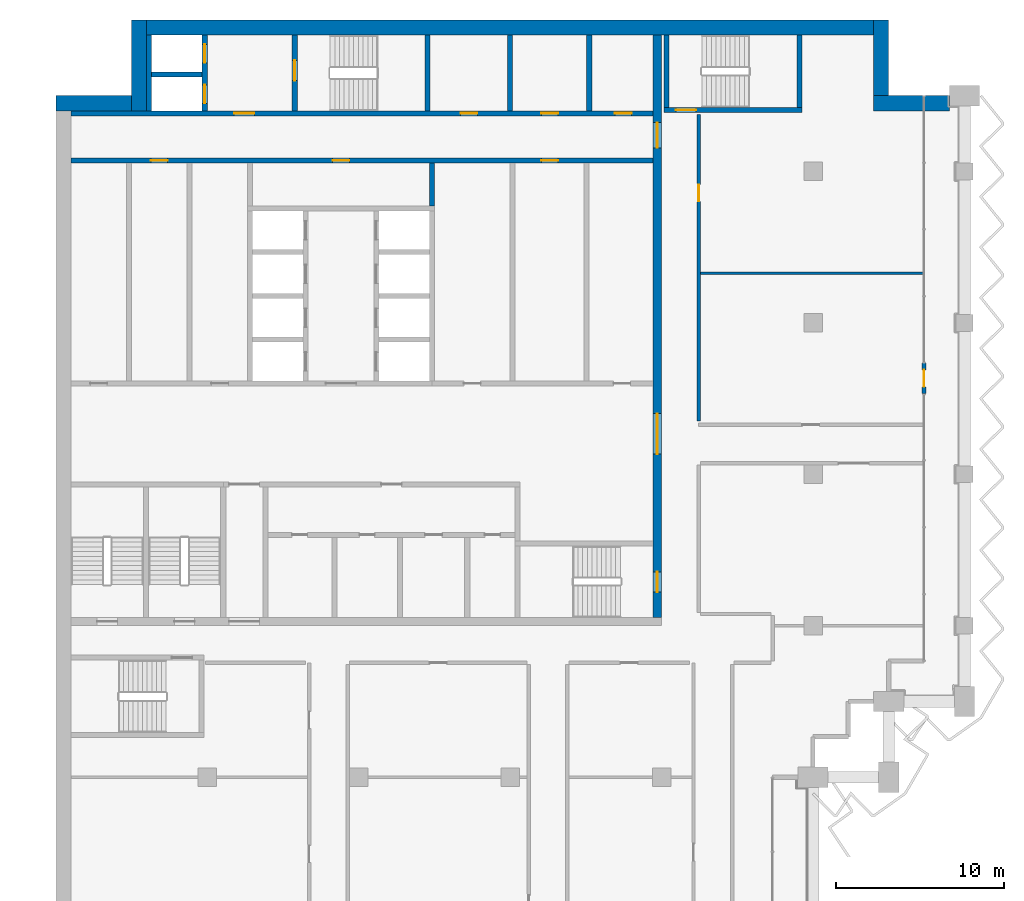
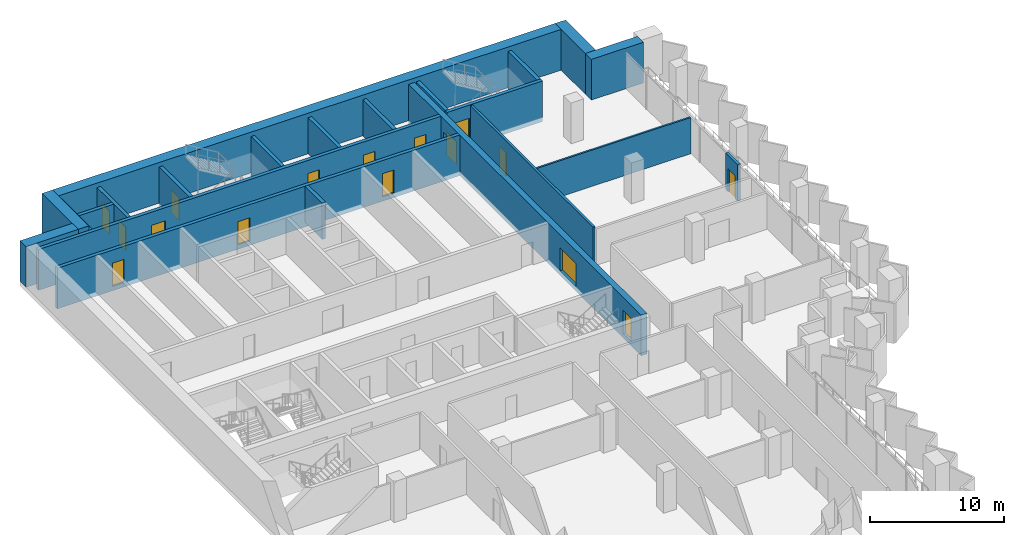
# One storey, part 12 of 19: 22 walls, 16 doors, 16 openings.
"""IFC4 building model written with IfcOpenShell, lengths in metres."""

from ifc_helpers import new_model, si_unit, direction, frame, frame_2d, origin, place, context, subcontext, project, spatial, rectangle, extrude, material, layer, layer_set, type_object, element, fill, save


model = new_model("IFC4")

# Units and contexts
model_context = context("Model", 3, precision=1e-05, world=origin(), true_north=direction((0.0, 1.0)))
body_context = subcontext(model_context, "Body", "Model", "MODEL_VIEW")
ifc_project = project(units=[si_unit("LENGTHUNIT", "METRE"), si_unit("AREAUNIT", "SQUARE_METRE"), si_unit("VOLUMEUNIT", "CUBIC_METRE"), si_unit("PLANEANGLEUNIT", "RADIAN"), si_unit("MASSUNIT", "GRAM", prefix="KILO")], contexts=[model_context])

# Site, building, storey
site_placement = place(None, origin())
site = spatial("IfcSite", under=ifc_project, at=site_placement, CompositionType="ELEMENT")
building_placement = place(site_placement, origin())
building = spatial("IfcBuilding", under=site, at=building_placement, Name="Hunhe Ridgeline Campus", CompositionType="ELEMENT")
storey_placement = place(building_placement, frame((0.0, 0.0, 219.800048828125)))
storey = spatial("IfcBuildingStorey", under=building, at=storey_placement, Name="L56", CompositionType="ELEMENT", Elevation=219.800048828125)

# Walls
ifc_material_1 = material(Name="Masonry concrete blockwork", Category="masonry")
ifc_layer_1 = layer(ifc_material_1, 0.300048828125)
ifc_layer_set_1 = layer_set([ifc_layer_1], Name="Core room partition 300 concrete block")
wall_type_1 = type_object("IfcWallType", Name="Core room partition 300 concrete block", PredefinedType="PARTITIONING", material=ifc_layer_set_1)
wall_1_placement = place(storey_placement, frame((22.35009765625, 87.949951171875, 0.0), z_axis=(0.0, 0.0, 1.0), x_axis=(0.0, 1.0, 0.0)))
element("IfcWall", 1, at=wall_1_placement, inside=storey, type_object=wall_type_1, Name="L56 core partition 44", PredefinedType="PARTITIONING", context=body_context, shape_type="SweptSolid", body=[
    extrude(rectangle(XDim=2.550048828125, YDim=0.300048828125, at=frame_2d((1.27490234375, 0.0))), origin(), (0.0, 0.0, 1.0), 3.300048828125),
])
for number, where, z_axis, x_axis, name in (
    (2, (27.0, 93.60009765625, 0.0), (0.0, 0.0, 1.0), (0.0, 1.0, 0.0), "L56 core partition 47"),
    (3, (31.699951171875, 93.60009765625, 0.0), (0.0, 0.0, 1.0), (0.0, 1.0, 0.0), "L56 core partition 52"),
):
    element("IfcWall", number, at=place(storey_placement, frame(where, z_axis=z_axis, x_axis=x_axis)), inside=storey, type_object=wall_type_1, Name=name, PredefinedType="PARTITIONING", context=body_context, shape_type="SweptSolid", body=[
        extrude(rectangle(XDim=4.5, YDim=0.300048828125, at=frame_2d((2.25, 0.0))), origin(), (0.0, 0.0, 1.0), 3.300048828125),
    ])

# Wall, openings, doors
ifc_material_2 = material(Name="Concrete C60", Category="concrete")
ifc_layer_2 = layer(ifc_material_2, 0.5)
ifc_layer_set_2 = layer_set([ifc_layer_2], Name="Core wall 500 reinforced concrete C60")
wall_type_2 = type_object("IfcWallType", Name="Core wall 500 reinforced concrete C60", PredefinedType="SOLIDWALL", material=ifc_layer_set_2)
wall_2_placement = place(storey_placement, frame((35.75, 63.5, -0.400146484375), z_axis=(0.0, 0.0, 1.0), x_axis=(0.0, 1.0, 0.0)))
wall_2 = element("IfcWall", 4, at=wall_2_placement, inside=storey, type_object=wall_type_2, Name="L56 core wall 53", PredefinedType="SOLIDWALL", context=body_context, shape_type="SweptSolid", body=[
    extrude(rectangle(XDim=34.60009765625, YDim=0.5, at=frame_2d((17.300048828125, 0.0))), origin(), (0.0, 0.0, 1.0), 3.7001953125),
])
opening_1_placement = place(wall_2_placement, frame((9.699951171875, 0.0, 0.39990234375)))
opening_1 = element("IfcOpeningElement", 5, at=opening_1_placement, cuts=wall_2, Name="Opening CD4", PredefinedType="OPENING", context=body_context, shape_type="SweptSolid", body=[
    extrude(rectangle(XDim=2.39990234375, YDim=2.10009765625, at=frame_2d((1.199951171875, 1.050048828125))), frame((0.0, 0.25, 0.0), z_axis=(0.0, -1.0, 0.0), x_axis=(1.0, 0.0, 0.0)), (0.0, 0.0, 1.0), 0.5),
])
opening_2_placement = place(wall_2_placement, frame((27.89990234375, 0.0, 0.39990234375)))
opening_2 = element("IfcOpeningElement", 6, at=opening_2_placement, cuts=wall_2, Name="Opening CD5", PredefinedType="OPENING", context=body_context, shape_type="SweptSolid", body=[
    extrude(rectangle(XDim=1.5, YDim=2.10009765625, at=frame_2d((0.75, 1.050048828125))), frame((0.0, 0.25, 0.0), z_axis=(0.0, -1.0, 0.0), x_axis=(1.0, 0.0, 0.0)), (0.0, 0.0, 1.0), 0.5),
])
opening_3_placement = place(wall_2_placement, frame((1.5, 0.0, 0.39990234375)))
opening_3 = element("IfcOpeningElement", 7, at=opening_3_placement, cuts=wall_2, Name="Opening CD15", PredefinedType="OPENING", context=body_context, shape_type="SweptSolid", body=[
    extrude(rectangle(XDim=1.199951171875, YDim=2.10009765625, at=frame_2d((0.60009765625, 1.050048828125))), frame((0.0, 0.25, 0.0), z_axis=(0.0, -1.0, 0.0), x_axis=(1.0, 0.0, 0.0)), (0.0, 0.0, 1.0), 0.5),
])
ifc_material_3 = material(Name="Anodised aluminium and glass", Category="aluminium")
door_type_1 = type_object("IfcDoorType", Name="Glazed double door 2400x2100", OperationType="DOUBLE_DOOR_SINGLE_SWING", PredefinedType="DOOR", material=ifc_material_3)
door_1_placement = place(opening_1_placement, frame((2.39990234375, 0.0, 0.0), z_axis=(0.0, 0.0, 1.0), x_axis=(-1.0, 0.0, 0.0)))
door_1 = element("IfcDoor", 8, at=door_1_placement, inside=storey, type_object=door_type_1, Name="L56 door HALL-FLOOR", OperationType="DOUBLE_DOOR_SINGLE_SWING", OverallHeight=2.10009765625, OverallWidth=2.39990234375, PredefinedType="DOOR", context=body_context, shape_type="SweptSolid", body=[
    extrude(rectangle(XDim=2.39990234375, YDim=2.10009765625, at=frame_2d((1.199951171875, 1.050048828125))), frame((0.0, 0.02490234375, 0.0), z_axis=(0.0, -1.0, 0.0), x_axis=(1.0, 0.0, 0.0)), (0.0, 0.0, 1.0), 0.050048828125),
])
fill(opening_1, door_1)
ifc_material_4 = material(Name="Hollow metal fire door leaf")
door_type_2 = type_object("IfcDoorType", Name="Stair door 1200x2100 FD60", OperationType="SINGLE_SWING_LEFT", PredefinedType="DOOR", material=ifc_material_4)
door_2_placement = place(opening_3_placement, frame((1.199951171875, 0.0, 0.0), z_axis=(0.0, 0.0, 1.0), x_axis=(-1.0, 0.0, 0.0)))
door_2 = element("IfcDoor", 9, at=door_2_placement, inside=storey, type_object=door_type_2, Name="L56 door S2-FLOOR", OperationType="SINGLE_SWING_LEFT", OverallHeight=2.10009765625, OverallWidth=1.199951171875, PredefinedType="DOOR", context=body_context, shape_type="SweptSolid", body=[
    extrude(rectangle(XDim=1.199951171875, YDim=2.10009765625, at=frame_2d((0.60009765625, 1.050048828125))), frame((0.0, 0.02490234375, 0.0), z_axis=(0.0, -1.0, 0.0), x_axis=(1.0, 0.0, 0.0)), (0.0, 0.0, 1.0), 0.050048828125),
])
fill(opening_3, door_2)
ifc_material_5 = material(Name="Solid core timber door leaf", Category="wood")
door_type_3 = type_object("IfcDoorType", Name="Timber door 1500x2100", OperationType="SINGLE_SWING_LEFT", PredefinedType="DOOR", material=ifc_material_5)
door_3_placement = place(opening_2_placement, frame((1.5, 0.0, 0.0), z_axis=(0.0, 0.0, 1.0), x_axis=(-1.0, 0.0, 0.0)))
door_3 = element("IfcDoor", 10, at=door_3_placement, inside=storey, type_object=door_type_3, Name="L56 door C1-FLOOR", OperationType="SINGLE_SWING_LEFT", OverallHeight=2.10009765625, OverallWidth=1.5, PredefinedType="DOOR", context=body_context, shape_type="SweptSolid", body=[
    extrude(rectangle(XDim=1.5, YDim=2.10009765625, at=frame_2d((0.75, 1.050048828125))), frame((0.0, 0.02490234375, 0.0), z_axis=(0.0, -1.0, 0.0), x_axis=(1.0, 0.0, 0.0)), (0.0, 0.0, 1.0), 0.050048828125),
])
fill(opening_2, door_3)

# Wall, opening, door
ifc_material_6 = material(Name="Gypsum board partition")
ifc_layer_3 = layer(ifc_material_6, 0.199951171875)
ifc_layer_set_3 = layer_set([ifc_layer_3], Name="Corridor partition 200 gypsum board on steel studs")
wall_type_3 = type_object("IfcWallType", Name="Corridor partition 200 gypsum board on steel studs", PredefinedType="PARTITIONING", material=ifc_layer_set_3)
wall_3_placement = place(storey_placement, frame((38.199951171875, 93.39599609375, 0.0), z_axis=(0.0, 0.0, 1.0), x_axis=(0.0, -1.0, 0.0)))
wall_3 = element("IfcWall", 11, at=wall_3_placement, inside=storey, type_object=wall_type_3, Name="F-L56-wall-048", PredefinedType="PARTITIONING", context=body_context, shape_type="SweptSolid", body=[
    extrude(rectangle(XDim=18.216552734375, YDim=0.199951171875, at=frame_2d((9.1083984375, 0.0))), origin(), (0.0, 0.0, 1.0), 3.300048828125),
])
opening_4_placement = place(wall_3_placement, frame((4.1806640625, 0.0, 0.0)))
opening_4 = element("IfcOpeningElement", 12, at=opening_4_placement, cuts=wall_3, Name="Opening RD1-020", PredefinedType="OPENING", context=body_context, shape_type="SweptSolid", body=[
    extrude(rectangle(XDim=1.0, YDim=2.10009765625, at=frame_2d((0.5, 1.050048828125))), frame((0.0, 0.10009765625, 0.0), z_axis=(0.0, -1.0, 0.0), x_axis=(1.0, 0.0, 0.0)), (0.0, 0.0, 1.0), 0.199951171875),
])
ifc_material_7 = material(Name="Timber door leaf", Category="wood")
door_type_4 = type_object("IfcDoorType", Name="Single fire door 1000x2100 timber FD60", OperationType="NOTDEFINED", PredefinedType="DOOR", material=ifc_material_7)
door_4_placement = place(opening_4_placement, origin())
door_4 = element("IfcDoor", 13, at=door_4_placement, inside=storey, type_object=door_type_4, Name="F-L56-door-020", OperationType="SINGLE_SWING_RIGHT", OverallHeight=2.10009765625, OverallWidth=1.0, PredefinedType="DOOR", context=body_context, shape_type="SweptSolid", body=[
    extrude(rectangle(XDim=1.0, YDim=2.10009765625, at=frame_2d((0.5, 1.050048828125))), frame((0.0, 0.02490234375, 0.0), z_axis=(0.0, -1.0, 0.0), x_axis=(1.0, 0.0, 0.0)), (0.0, 0.0, 1.0), 0.050048828125),
])
fill(opening_4, door_4)

# Wall, openings, doors
ifc_layer_4 = layer(ifc_material_2, 0.300048828125)
ifc_layer_set_4 = layer_set([ifc_layer_4], Name="Lobby wall 300 reinforced concrete C60")
wall_type_4 = type_object("IfcWallType", Name="Lobby wall 300 reinforced concrete C60", PredefinedType="SOLIDWALL", material=ifc_layer_set_4)
wall_4_placement = place(storey_placement, frame((0.89990234375, 90.64990234375, -0.400146484375), z_axis=(0.0, 0.0, 1.0), x_axis=(1.0, 0.0, 0.0)))
wall_4 = element("IfcWall", 14, at=wall_4_placement, inside=storey, type_object=wall_type_4, Name="L56 core wall 21", PredefinedType="SOLIDWALL", context=body_context, shape_type="SweptSolid", body=[
    extrude(rectangle(XDim=34.60009765625, YDim=0.300048828125, at=frame_2d((17.300048828125, 0.0))), origin(), (0.0, 0.0, 1.0), 3.7001953125),
])
opening_5_placement = place(wall_4_placement, frame((15.550048828125, 0.0, 0.39990234375)))
opening_5 = element("IfcOpeningElement", 15, at=opening_5_placement, cuts=wall_4, Name="Opening CD26", PredefinedType="OPENING", context=body_context, shape_type="SweptSolid", body=[
    extrude(rectangle(XDim=1.0, YDim=2.10009765625, at=frame_2d((0.5, 1.050048828125))), frame((0.0, 0.14990234375, 0.0), z_axis=(0.0, -1.0, 0.0), x_axis=(1.0, 0.0, 0.0)), (0.0, 0.0, 1.0), 0.300048828125),
])
opening_6_placement = place(wall_4_placement, frame((4.75, 0.0, 0.39990234375)))
opening_6 = element("IfcOpeningElement", 16, at=opening_6_placement, cuts=wall_4, Name="Opening CD40", PredefinedType="OPENING", context=body_context, shape_type="SweptSolid", body=[
    extrude(rectangle(XDim=1.0, YDim=2.10009765625, at=frame_2d((0.5, 1.050048828125))), frame((0.0, 0.14990234375, 0.0), z_axis=(0.0, -1.0, 0.0), x_axis=(1.0, 0.0, 0.0)), (0.0, 0.0, 1.0), 0.300048828125),
])
opening_7_placement = place(wall_4_placement, frame((27.949951171875, 0.0, 0.39990234375)))
opening_7 = element("IfcOpeningElement", 17, at=opening_7_placement, cuts=wall_4, Name="Opening CD33", PredefinedType="OPENING", context=body_context, shape_type="SweptSolid", body=[
    extrude(rectangle(XDim=1.0, YDim=2.10009765625, at=frame_2d((0.5, 1.050048828125))), frame((0.0, 0.14990234375, 0.0), z_axis=(0.0, -1.0, 0.0), x_axis=(1.0, 0.0, 0.0)), (0.0, 0.0, 1.0), 0.300048828125),
])
door_type_5 = type_object("IfcDoorType", Name="Timber door 1000x2100", OperationType="SINGLE_SWING_LEFT", PredefinedType="DOOR", material=ifc_material_5)
door_5_placement = place(opening_5_placement, frame((1.0, 0.0, 0.0), z_axis=(0.0, 0.0, 1.0), x_axis=(-1.0, 0.0, 0.0)))
door_5 = element("IfcDoor", 18, at=door_5_placement, inside=storey, type_object=door_type_5, Name="L56 door NR-0", OperationType="SINGLE_SWING_LEFT", OverallHeight=2.10009765625, OverallWidth=1.0, PredefinedType="DOOR", context=body_context, shape_type="SweptSolid", body=[
    extrude(rectangle(XDim=1.0, YDim=2.10009765625, at=frame_2d((0.5, 1.050048828125))), frame((0.0, 0.02490234375, 0.0), z_axis=(0.0, -1.0, 0.0), x_axis=(1.0, 0.0, 0.0)), (0.0, 0.0, 1.0), 0.050048828125),
])
fill(opening_5, door_5)
door_6_placement = place(opening_6_placement, frame((1.0, 0.0, 0.0), z_axis=(0.0, 0.0, 1.0), x_axis=(-1.0, 0.0, 0.0)))
door_6 = element("IfcDoor", 19, at=door_6_placement, inside=storey, type_object=door_type_5, Name="L56 door VD-LR1", OperationType="SINGLE_SWING_LEFT", OverallHeight=2.10009765625, OverallWidth=1.0, PredefinedType="DOOR", context=body_context, shape_type="SweptSolid", body=[
    extrude(rectangle(XDim=1.0, YDim=2.10009765625, at=frame_2d((0.5, 1.050048828125))), frame((0.0, 0.02490234375, 0.0), z_axis=(0.0, -1.0, 0.0), x_axis=(1.0, 0.0, 0.0)), (0.0, 0.0, 1.0), 0.050048828125),
])
fill(opening_6, door_6)
door_7_placement = place(opening_7_placement, frame((1.0, 0.0, 0.0), z_axis=(0.0, 0.0, 1.0), x_axis=(-1.0, 0.0, 0.0)))
door_7 = element("IfcDoor", 20, at=door_7_placement, inside=storey, type_object=door_type_5, Name="L56 door ES1", OperationType="SINGLE_SWING_LEFT", OverallHeight=2.10009765625, OverallWidth=1.0, PredefinedType="DOOR", context=body_context, shape_type="SweptSolid", body=[
    extrude(rectangle(XDim=1.0, YDim=2.10009765625, at=frame_2d((0.5, 1.050048828125))), frame((0.0, 0.02490234375, 0.0), z_axis=(0.0, -1.0, 0.0), x_axis=(1.0, 0.0, 0.0)), (0.0, 0.0, 1.0), 0.050048828125),
])
fill(opening_7, door_7)

# Wall, opening, door
ifc_material_8 = material(Name="Concrete C30", Category="concrete")
ifc_layer_5 = layer(ifc_material_8, 0.25)
ifc_layer_set_5 = layer_set([ifc_layer_5], Name="Loggia door pier wall 250 Concrete C30")
wall_type_5 = type_object("IfcWallType", Name="Loggia door pier wall 250 Concrete C30", PredefinedType="SOLIDWALL", material=ifc_layer_set_5)
wall_5_placement = place(storey_placement, frame((51.59912109375, 76.800537109375, 0.0), z_axis=(0.0, 0.0, 1.0), x_axis=(0.0, 1.0, 0.0)))
wall_5 = element("IfcWall", 21, at=wall_5_placement, inside=storey, type_object=wall_type_5, Name="Loggia door pier 3", PredefinedType="SOLIDWALL", context=body_context, shape_type="SweptSolid", body=[
    extrude(rectangle(XDim=1.800048828125, YDim=0.25, at=frame_2d((0.89990234375, 0.0))), origin(), (0.0, 0.0, 1.0), 3.300048828125),
])
opening_8_placement = place(wall_5_placement, frame((0.39990234375, 0.0, 0.0)))
opening_8 = element("IfcOpeningElement", 22, at=opening_8_placement, cuts=wall_5, Name="Opening BD406", PredefinedType="OPENING", context=body_context, shape_type="SweptSolid", body=[
    extrude(rectangle(XDim=1.0, YDim=2.10009765625, at=frame_2d((0.5, 1.050048828125))), frame((0.0, 0.125, 0.0), z_axis=(0.0, -1.0, 0.0), x_axis=(1.0, 0.0, 0.0)), (0.0, 0.0, 1.0), 0.25),
])
ifc_material_9 = material(Name="Aluminium 6063", Category="aluminium")
door_type_6 = type_object("IfcDoorType", Name="Loggia glazed door 1000x2100", OperationType="NOTDEFINED", PredefinedType="DOOR", material=ifc_material_9)
door_8_placement = place(opening_8_placement, frame((1.0, 0.0, 0.0), z_axis=(0.0, 0.0, 1.0), x_axis=(-1.0, 0.0, 0.0)))
door_8 = element("IfcDoor", 23, at=door_8_placement, inside=storey, type_object=door_type_6, Name="Loggia door BD406", OperationType="SINGLE_SWING_LEFT", OverallHeight=2.10009765625, OverallWidth=1.0, PredefinedType="DOOR", context=body_context, shape_type="SweptSolid", body=[
    extrude(rectangle(XDim=1.0, YDim=2.10009765625, at=frame_2d((0.5, 1.050048828125))), frame((0.0, 0.02490234375, 0.0), z_axis=(0.0, -1.0, 0.0), x_axis=(1.0, 0.0, 0.0)), (0.0, 0.0, 1.0), 0.050048828125),
])
fill(opening_8, door_8)

# Wall
ifc_layer_6 = layer(ifc_material_6, 0.14990234375)
ifc_layer_set_6 = layer_set([ifc_layer_6], Name="Room partition 150 gypsum board on steel studs")
wall_type_6 = type_object("IfcWallType", Name="Room partition 150 gypsum board on steel studs", PredefinedType="PARTITIONING", material=ifc_layer_set_6)
wall_6_placement = place(storey_placement, frame((38.300048828125, 83.949951171875, 0.0), z_axis=(0.0, 0.0, 1.0), x_axis=(1.0, 0.0, 0.0)))
element("IfcWall", 24, at=wall_6_placement, inside=storey, type_object=wall_type_6, Name="F-L56-wall-037", PredefinedType="PARTITIONING", context=body_context, shape_type="SweptSolid", body=[
    extrude(rectangle(XDim=13.244873046875, YDim=0.14990234375, at=frame_2d((6.62255859375, 0.0))), origin(), (0.0, 0.0, 1.0), 3.300048828125),
])

# Wall, openings, doors
ifc_layer_7 = layer(ifc_material_2, 0.300048828125)
ifc_layer_set_7 = layer_set([ifc_layer_7], Name="Shaft wall 300 reinforced concrete C60")
wall_type_7 = type_object("IfcWallType", Name="Shaft wall 300 reinforced concrete C60", PredefinedType="SOLIDWALL", material=ifc_layer_set_7)
wall_7_placement = place(storey_placement, frame((0.89990234375, 93.449951171875, -0.400146484375), z_axis=(0.0, 0.0, 1.0), x_axis=(1.0, 0.0, 0.0)))
wall_7 = element("IfcWall", 25, at=wall_7_placement, inside=storey, type_object=wall_type_7, Name="L56 core wall 22", PredefinedType="SOLIDWALL", context=body_context, shape_type="SweptSolid", body=[
    extrude(rectangle(XDim=34.60009765625, YDim=0.300048828125, at=frame_2d((17.300048828125, 0.0))), origin(), (0.0, 0.0, 1.0), 3.7001953125),
])
opening_9_placement = place(wall_7_placement, frame((9.699951171875, 0.0, 0.39990234375)))
opening_9 = element("IfcOpeningElement", 26, at=opening_9_placement, cuts=wall_7, Name="Opening CD3", PredefinedType="OPENING", context=body_context, shape_type="SweptSolid", body=[
    extrude(rectangle(XDim=1.199951171875, YDim=2.10009765625, at=frame_2d((0.60009765625, 1.050048828125))), frame((0.0, 0.14990234375, 0.0), z_axis=(0.0, -1.0, 0.0), x_axis=(1.0, 0.0, 0.0)), (0.0, 0.0, 1.0), 0.300048828125),
])
opening_10_placement = place(wall_7_placement, frame((23.14990234375, 0.0, 0.39990234375)))
opening_10 = element("IfcOpeningElement", 27, at=opening_10_placement, cuts=wall_7, Name="Opening CD34", PredefinedType="OPENING", context=body_context, shape_type="SweptSolid", body=[
    extrude(rectangle(XDim=1.0, YDim=2.10009765625, at=frame_2d((0.5, 1.050048828125))), frame((0.0, 0.14990234375, 0.0), z_axis=(0.0, -1.0, 0.0), x_axis=(1.0, 0.0, 0.0)), (0.0, 0.0, 1.0), 0.300048828125),
])
opening_11_placement = place(wall_7_placement, frame((27.949951171875, 0.0, 0.39990234375)))
opening_11 = element("IfcOpeningElement", 28, at=opening_11_placement, cuts=wall_7, Name="Opening CD35", PredefinedType="OPENING", context=body_context, shape_type="SweptSolid", body=[
    extrude(rectangle(XDim=1.0, YDim=2.10009765625, at=frame_2d((0.5, 1.050048828125))), frame((0.0, 0.14990234375, 0.0), z_axis=(0.0, -1.0, 0.0), x_axis=(1.0, 0.0, 0.0)), (0.0, 0.0, 1.0), 0.300048828125),
])
opening_12_placement = place(wall_7_placement, frame((32.324951171875, 0.0, 0.39990234375)))
opening_12 = element("IfcOpeningElement", 29, at=opening_12_placement, cuts=wall_7, Name="Opening CD36", PredefinedType="OPENING", context=body_context, shape_type="SweptSolid", body=[
    extrude(rectangle(XDim=1.0, YDim=2.10009765625, at=frame_2d((0.5, 1.050048828125))), frame((0.0, 0.14990234375, 0.0), z_axis=(0.0, -1.0, 0.0), x_axis=(1.0, 0.0, 0.0)), (0.0, 0.0, 1.0), 0.300048828125),
])
door_type_7 = type_object("IfcDoorType", Name="Lobby door 1200x2100 FD60", OperationType="SINGLE_SWING_LEFT", PredefinedType="DOOR", material=ifc_material_4)
door_9_placement = place(opening_9_placement, frame((1.199951171875, 0.0, 0.0), z_axis=(0.0, 0.0, 1.0), x_axis=(-1.0, 0.0, 0.0)))
door_9 = element("IfcDoor", 30, at=door_9_placement, inside=storey, type_object=door_type_7, Name="L56 door FF-C1", OperationType="SINGLE_SWING_RIGHT", OverallHeight=2.10009765625, OverallWidth=1.199951171875, PredefinedType="DOOR", context=body_context, shape_type="SweptSolid", body=[
    extrude(rectangle(XDim=1.199951171875, YDim=2.10009765625, at=frame_2d((0.60009765625, 1.050048828125))), frame((0.0, 0.02490234375, 0.0), z_axis=(0.0, -1.0, 0.0), x_axis=(1.0, 0.0, 0.0)), (0.0, 0.0, 1.0), 0.050048828125),
])
fill(opening_9, door_9)
door_10_placement = place(opening_10_placement, origin())
door_10 = element("IfcDoor", 31, at=door_10_placement, inside=storey, type_object=door_type_5, Name="L56 door NB0", OperationType="SINGLE_SWING_RIGHT", OverallHeight=2.10009765625, OverallWidth=1.0, PredefinedType="DOOR", context=body_context, shape_type="SweptSolid", body=[
    extrude(rectangle(XDim=1.0, YDim=2.10009765625, at=frame_2d((0.5, 1.050048828125))), frame((0.0, 0.02490234375, 0.0), z_axis=(0.0, -1.0, 0.0), x_axis=(1.0, 0.0, 0.0)), (0.0, 0.0, 1.0), 0.050048828125),
])
fill(opening_10, door_10)
door_11_placement = place(opening_11_placement, origin())
door_11 = element("IfcDoor", 32, at=door_11_placement, inside=storey, type_object=door_type_5, Name="L56 door NB1", OperationType="SINGLE_SWING_LEFT", OverallHeight=2.10009765625, OverallWidth=1.0, PredefinedType="DOOR", context=body_context, shape_type="SweptSolid", body=[
    extrude(rectangle(XDim=1.0, YDim=2.10009765625, at=frame_2d((0.5, 1.050048828125))), frame((0.0, 0.02490234375, 0.0), z_axis=(0.0, -1.0, 0.0), x_axis=(1.0, 0.0, 0.0)), (0.0, 0.0, 1.0), 0.050048828125),
])
fill(opening_11, door_11)
door_12_placement = place(opening_12_placement, origin())
door_12 = element("IfcDoor", 33, at=door_12_placement, inside=storey, type_object=door_type_5, Name="L56 door NB2", OperationType="SINGLE_SWING_RIGHT", OverallHeight=2.10009765625, OverallWidth=1.0, PredefinedType="DOOR", context=body_context, shape_type="SweptSolid", body=[
    extrude(rectangle(XDim=1.0, YDim=2.10009765625, at=frame_2d((0.5, 1.050048828125))), frame((0.0, 0.02490234375, 0.0), z_axis=(0.0, -1.0, 0.0), x_axis=(1.0, 0.0, 0.0)), (0.0, 0.0, 1.0), 0.050048828125),
])
fill(opening_12, door_12)

# Walls
wall_8_placement = place(storey_placement, frame((5.699951171875, 95.75, -0.400146484375), z_axis=(0.0, 0.0, 1.0), x_axis=(1.0, 0.0, 0.0)))
element("IfcWall", 34, at=wall_8_placement, inside=storey, type_object=wall_type_7, Name="L56 core wall 24", PredefinedType="SOLIDWALL", context=body_context, shape_type="SweptSolid", body=[
    extrude(rectangle(XDim=3.0, YDim=0.300048828125, at=frame_2d((1.5, 0.0))), origin(), (0.0, 0.0, 1.0), 3.7001953125),
])
wall_9_placement = place(storey_placement, frame((5.550048828125, 93.60009765625, -0.400146484375), z_axis=(0.0, 0.0, 1.0), x_axis=(0.0, 1.0, 0.0)))
element("IfcWall", 35, at=wall_9_placement, inside=storey, type_object=wall_type_7, Name="L56 core wall 27", PredefinedType="SOLIDWALL", context=body_context, shape_type="SweptSolid", body=[
    extrude(rectangle(XDim=4.5, YDim=0.300048828125, at=frame_2d((2.25, 0.0))), origin(), (0.0, 0.0, 1.0), 3.7001953125),
])

# Wall, openings, doors
wall_10_placement = place(storey_placement, frame((8.85009765625, 93.60009765625, -0.400146484375), z_axis=(0.0, 0.0, 1.0), x_axis=(0.0, 1.0, 0.0)))
wall_10 = element("IfcWall", 36, at=wall_10_placement, inside=storey, type_object=wall_type_7, Name="L56 core wall 31", PredefinedType="SOLIDWALL", context=body_context, shape_type="SweptSolid", body=[
    extrude(rectangle(XDim=4.5, YDim=0.300048828125, at=frame_2d((2.25, 0.0))), origin(), (0.0, 0.0, 1.0), 3.7001953125),
])
opening_13_placement = place(wall_10_placement, frame((0.449951171875, 0.0, 0.39990234375)))
opening_13 = element("IfcOpeningElement", 37, at=opening_13_placement, cuts=wall_10, Name="Opening LD-FF1", PredefinedType="OPENING", context=body_context, shape_type="SweptSolid", body=[
    extrude(rectangle(XDim=1.10009765625, YDim=2.10009765625, at=frame_2d((0.550048828125, 1.050048828125))), frame((0.0, 0.14990234375, 0.0), z_axis=(0.0, -1.0, 0.0), x_axis=(1.0, 0.0, 0.0)), (0.0, 0.0, 1.0), 0.300048828125),
])
opening_14_placement = place(wall_10_placement, frame((2.85009765625, 0.0, 0.39990234375)))
opening_14 = element("IfcOpeningElement", 38, at=opening_14_placement, cuts=wall_10, Name="Opening LD-FF2", PredefinedType="OPENING", context=body_context, shape_type="SweptSolid", body=[
    extrude(rectangle(XDim=1.10009765625, YDim=2.10009765625, at=frame_2d((0.550048828125, 1.050048828125))), frame((0.0, 0.14990234375, 0.0), z_axis=(0.0, -1.0, 0.0), x_axis=(1.0, 0.0, 0.0)), (0.0, 0.0, 1.0), 0.300048828125),
])
ifc_material_10 = material(Name="Stainless steel sliding leaves", Category="steel")
door_type_8 = type_object("IfcDoorType", Name="Landing door 1100x2100 FD120", OperationType="SLIDING_TO_LEFT", PredefinedType="DOOR", material=ifc_material_10)
door_13_placement = place(opening_13_placement, origin())
door_13 = element("IfcDoor", 39, at=door_13_placement, inside=storey, type_object=door_type_8, Name="L56 landing door FF1", OperationType="SLIDING_TO_RIGHT", OverallHeight=2.10009765625, OverallWidth=1.10009765625, PredefinedType="DOOR", context=body_context, shape_type="SweptSolid", body=[
    extrude(rectangle(XDim=1.10009765625, YDim=2.10009765625, at=frame_2d((0.550048828125, 1.050048828125))), frame((0.0, 0.02490234375, 0.0), z_axis=(0.0, -1.0, 0.0), x_axis=(1.0, 0.0, 0.0)), (0.0, 0.0, 1.0), 0.050048828125),
])
fill(opening_13, door_13)
door_14_placement = place(opening_14_placement, origin())
door_14 = element("IfcDoor", 40, at=door_14_placement, inside=storey, type_object=door_type_8, Name="L56 landing door FF2", OperationType="SLIDING_TO_LEFT", OverallHeight=2.10009765625, OverallWidth=1.10009765625, PredefinedType="DOOR", context=body_context, shape_type="SweptSolid", body=[
    extrude(rectangle(XDim=1.10009765625, YDim=2.10009765625, at=frame_2d((0.550048828125, 1.050048828125))), frame((0.0, 0.02490234375, 0.0), z_axis=(0.0, -1.0, 0.0), x_axis=(1.0, 0.0, 0.0)), (0.0, 0.0, 1.0), 0.050048828125),
])
fill(opening_14, door_14)

# Walls
ifc_layer_8 = layer(ifc_material_2, 0.89990234375)
ifc_layer_set_8 = layer_set([ifc_layer_8], Name="Spine wall 900 Concrete C60")
wall_type_8 = type_object("IfcWallType", Name="Spine wall 900 Concrete C60", PredefinedType="SHEAR", material=ifc_layer_set_8)
wall_11_placement = place(storey_placement, frame((53.10009765625, 94.050048828125, 0.0), z_axis=(0.0, 0.0, 1.0), x_axis=(-1.0, 0.0, 0.0)))
element("IfcWall", 41, at=wall_11_placement, inside=storey, type_object=wall_type_8, Name="Spine wall SW3-2 L56", PredefinedType="SHEAR", context=body_context, shape_type="SweptSolid", body=[
    extrude(rectangle(XDim=4.5, YDim=0.89990234375, at=frame_2d((2.25, 0.0))), origin(), (0.0, 0.0, 1.0), 3.699951171875),
])
wall_12_placement = place(storey_placement, frame((49.050048828125, 93.60009765625, 0.0), z_axis=(0.0, 0.0, 1.0), x_axis=(0.0, 1.0, 0.0)))
element("IfcWall", 42, at=wall_12_placement, inside=storey, type_object=wall_type_8, Name="Spine wall SW3-3 L56", PredefinedType="SHEAR", context=body_context, shape_type="SweptSolid", body=[
    extrude(rectangle(XDim=5.39990234375, YDim=0.89990234375, at=frame_2d((2.699951171875, 0.0))), origin(), (0.0, 0.0, 1.0), 3.699951171875),
])
wall_13_placement = place(storey_placement, frame((49.5, 98.550048828125, 0.0), z_axis=(0.0, 0.0, 1.0), x_axis=(-1.0, 0.0, 0.0)))
element("IfcWall", 43, at=wall_13_placement, inside=storey, type_object=wall_type_8, Name="Spine wall SW3-4 L56", PredefinedType="SHEAR", context=body_context, shape_type="SweptSolid", body=[
    extrude(rectangle(XDim=45.0, YDim=0.89990234375, at=frame_2d((22.5, 0.0))), origin(), (0.0, 0.0, 1.0), 3.699951171875),
])
for number, where, z_axis, x_axis, name in (
    (44, (4.949951171875, 99.0, 0.0), (0.0, 0.0, 1.0), (0.0, -1.0, 0.0), "Spine wall SW3-5 L56"),
    (45, (5.400146484375, 94.050048828125, 0.0), (0.0, 0.0, 1.0), (-1.0, 0.0, 0.0), "Spine wall SW3-6 L56"),
):
    element("IfcWall", number, at=place(storey_placement, frame(where, z_axis=z_axis, x_axis=x_axis)), inside=storey, type_object=wall_type_8, Name=name, PredefinedType="SHEAR", context=body_context, shape_type="SweptSolid", body=[
        extrude(rectangle(XDim=5.400146484375, YDim=0.89990234375, at=frame_2d((2.7001953125, 0.0))), origin(), (0.0, 0.0, 1.0), 3.699951171875),
    ])

# Wall, opening, door
ifc_layer_9 = layer(ifc_material_2, 0.300048828125)
ifc_layer_set_9 = layer_set([ifc_layer_9], Name="Stair wall 300 reinforced concrete C60")
wall_type_9 = type_object("IfcWallType", Name="Stair wall 300 reinforced concrete C60", PredefinedType="SOLIDWALL", material=ifc_layer_set_9)
wall_14_placement = place(storey_placement, frame((36.14990234375, 93.64990234375, -0.400146484375), z_axis=(0.0, 0.0, 1.0), x_axis=(1.0, 0.0, 0.0)))
wall_14 = element("IfcWall", 46, at=wall_14_placement, inside=storey, type_object=wall_type_9, Name="L56 core wall 23", PredefinedType="SOLIDWALL", context=body_context, shape_type="SweptSolid", body=[
    extrude(rectangle(XDim=8.2001953125, YDim=0.300048828125, at=frame_2d((4.10009765625, 0.0))), origin(), (0.0, 0.0, 1.0), 3.7001953125),
])
opening_15_placement = place(wall_14_placement, frame((0.699951171875, 0.0, 0.39990234375)))
opening_15 = element("IfcOpeningElement", 47, at=opening_15_placement, cuts=wall_14, Name="Opening CD17", PredefinedType="OPENING", context=body_context, shape_type="SweptSolid", body=[
    extrude(rectangle(XDim=1.199951171875, YDim=2.10009765625, at=frame_2d((0.60009765625, 1.050048828125))), frame((0.0, 0.14990234375, 0.0), z_axis=(0.0, -1.0, 0.0), x_axis=(1.0, 0.0, 0.0)), (0.0, 0.0, 1.0), 0.300048828125),
])
door_15_placement = place(opening_15_placement, frame((1.199951171875, 0.0, 0.0), z_axis=(0.0, 0.0, 1.0), x_axis=(-1.0, 0.0, 0.0)))
door_15 = element("IfcDoor", 48, at=door_15_placement, inside=storey, type_object=door_type_2, Name="L56 door E1", OperationType="SINGLE_SWING_LEFT", OverallHeight=2.10009765625, OverallWidth=1.199951171875, PredefinedType="DOOR", context=body_context, shape_type="SweptSolid", body=[
    extrude(rectangle(XDim=1.199951171875, YDim=2.10009765625, at=frame_2d((0.60009765625, 1.050048828125))), frame((0.0, 0.02490234375, 0.0), z_axis=(0.0, -1.0, 0.0), x_axis=(1.0, 0.0, 0.0)), (0.0, 0.0, 1.0), 0.050048828125),
])
fill(opening_15, door_15)

wall_15_placement = place(storey_placement, frame((14.199951171875, 93.60009765625, -0.400146484375), z_axis=(0.0, 0.0, 1.0), x_axis=(0.0, 1.0, 0.0)))
wall_15 = element("IfcWall", 49, at=wall_15_placement, inside=storey, type_object=wall_type_9, Name="L56 core wall 36", PredefinedType="SOLIDWALL", context=body_context, shape_type="SweptSolid", body=[
    extrude(rectangle(XDim=4.5, YDim=0.300048828125, at=frame_2d((2.25, 0.0))), origin(), (0.0, 0.0, 1.0), 3.7001953125),
])
opening_16_placement = place(wall_15_placement, frame((1.800048828125, 0.0, 0.39990234375)))
opening_16 = element("IfcOpeningElement", 50, at=opening_16_placement, cuts=wall_15, Name="Opening CD16", PredefinedType="OPENING", context=body_context, shape_type="SweptSolid", body=[
    extrude(rectangle(XDim=1.199951171875, YDim=2.10009765625, at=frame_2d((0.60009765625, 1.050048828125))), frame((0.0, 0.14990234375, 0.0), z_axis=(0.0, -1.0, 0.0), x_axis=(1.0, 0.0, 0.0)), (0.0, 0.0, 1.0), 0.300048828125),
])
door_16_placement = place(opening_16_placement, origin())
door_16 = element("IfcDoor", 51, at=door_16_placement, inside=storey, type_object=door_type_2, Name="L56 door S1-FF", OperationType="SINGLE_SWING_RIGHT", OverallHeight=2.10009765625, OverallWidth=1.199951171875, PredefinedType="DOOR", context=body_context, shape_type="SweptSolid", body=[
    extrude(rectangle(XDim=1.199951171875, YDim=2.10009765625, at=frame_2d((0.60009765625, 1.050048828125))), frame((0.0, 0.02490234375, 0.0), z_axis=(0.0, -1.0, 0.0), x_axis=(1.0, 0.0, 0.0)), (0.0, 0.0, 1.0), 0.050048828125),
])
fill(opening_16, door_16)

# Walls
wall_16_placement = place(storey_placement, frame((22.10009765625, 93.60009765625, -0.400146484375), z_axis=(0.0, 0.0, 1.0), x_axis=(0.0, 1.0, 0.0)))
element("IfcWall", 52, at=wall_16_placement, inside=storey, type_object=wall_type_9, Name="L56 core wall 42", PredefinedType="SOLIDWALL", context=body_context, shape_type="SweptSolid", body=[
    extrude(rectangle(XDim=4.5, YDim=0.300048828125, at=frame_2d((2.25, 0.0))), origin(), (0.0, 0.0, 1.0), 3.7001953125),
])
for number, where, z_axis, x_axis, name in (
    (53, (36.300048828125, 93.800048828125, -0.400146484375), (0.0, 0.0, 1.0), (0.0, 1.0, 0.0), "L56 core wall 54"),
    (54, (44.199951171875, 93.800048828125, -0.400146484375), (0.0, 0.0, 1.0), (0.0, 1.0, 0.0), "L56 core wall 55"),
):
    element("IfcWall", number, at=place(storey_placement, frame(where, z_axis=z_axis, x_axis=x_axis)), inside=storey, type_object=wall_type_9, Name=name, PredefinedType="SOLIDWALL", context=body_context, shape_type="SweptSolid", body=[
        extrude(rectangle(XDim=4.300048828125, YDim=0.300048828125, at=frame_2d((2.14990234375, 0.0))), origin(), (0.0, 0.0, 1.0), 3.7001953125),
    ])

save(model, "model.ifc")
